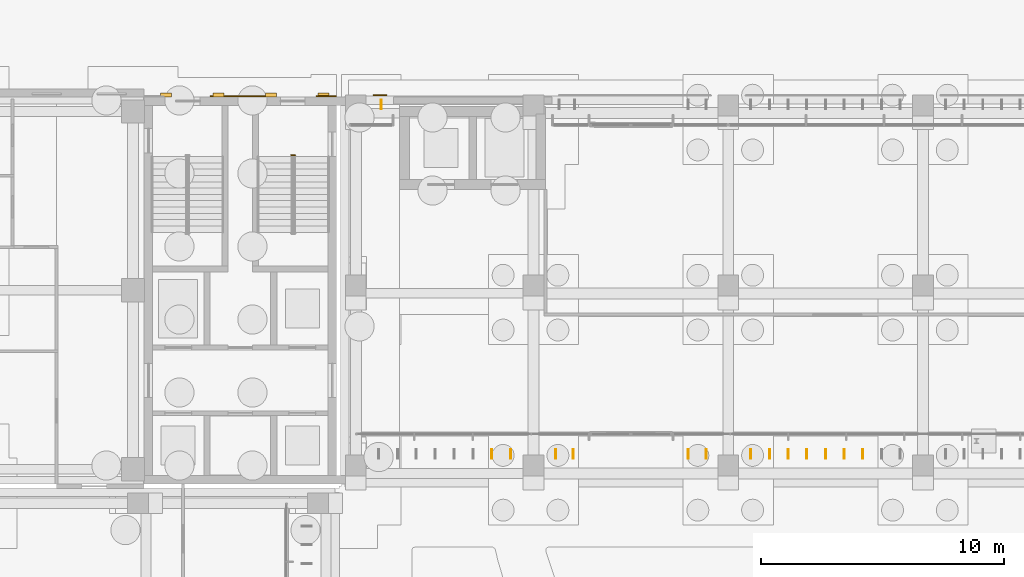
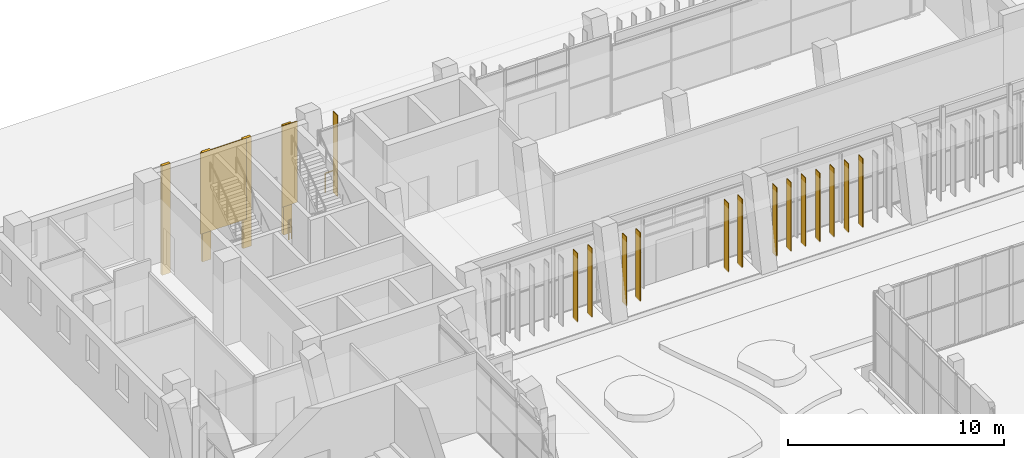
# One storey, part 132 of 144: 14 shading devices, 6 coverings, 2 railings.
"""IFC4 building model written with IfcOpenShell, lengths in metres."""

from ifc_helpers import new_model, si_unit, direction, frame, frame_2d, origin, origin_2d, place, context, subcontext, project, spatial, rectangle, circle, extrude, material, layer, layer_set, type_object, element, save


model = new_model("IFC4")

# Units and contexts
model_context = context("Model", 3, precision=1e-05, world=origin(), true_north=direction((0.0, 1.0)))
body_context = subcontext(model_context, "Body", "Model", "MODEL_VIEW")
ifc_project = project(units=[si_unit("LENGTHUNIT", "METRE"), si_unit("AREAUNIT", "SQUARE_METRE"), si_unit("VOLUMEUNIT", "CUBIC_METRE"), si_unit("PLANEANGLEUNIT", "RADIAN"), si_unit("MASSUNIT", "GRAM", prefix="KILO")], contexts=[model_context])

# Site, building, storey
site_placement = place(None, origin())
site = spatial("IfcSite", under=ifc_project, at=site_placement, CompositionType="ELEMENT")
building_placement = place(site_placement, origin())
building = spatial("IfcBuilding", under=site, at=building_placement, Name="Lantern Court Media Centre", CompositionType="ELEMENT")
storey_placement = place(building_placement, origin())
storey = spatial("IfcBuildingStorey", under=building, at=storey_placement, Name="L00", CompositionType="ELEMENT", Elevation=0.0)

# Railing
ifc_material_1 = material(Name="Powder-coated steel", Category="steel")
railing_type_1 = type_object("IfcRailingType", Name="Floor edge guard 1100", PredefinedType="GUARDRAIL", material=ifc_material_1)
railing_1_placement = place(storey_placement, frame((25.949951171875, 112.06005859375, 0.0)))
element("IfcRailing", 1, at=railing_1_placement, inside=storey, type_object=railing_type_1, Name="L00 opening guard 25", PredefinedType="GUARDRAIL", context=body_context, shape_type="SweptSolid", body=[
    extrude(circle(Radius=0.02392578125, at=origin_2d()), frame((0.0, 0.0, 1.076171875), z_axis=(-1.0, 0.0, 0.0), x_axis=(0.0, -1.0, 0.0)), (0.0, 0.0, 1.0), 0.52490234375),
    extrude(circle(Radius=0.02099609375, at=origin_2d()), origin(), (0.0, 0.0, 1.0), 1.052001953125),
    extrude(circle(Radius=0.02099609375, at=origin_2d()), frame((-0.52490234375, 0.0, 0.0)), (0.0, 0.0, 1.0), 1.052001953125),
])

# Coverings
ifc_material_2 = material(Name="Honed limestone cladding", Category="masonry")
ifc_layer_1 = layer(ifc_material_2, 0.050048828125)
ifc_layer_set_1 = layer_set([ifc_layer_1], Name="Honed limestone cladding")
covering_type_1 = type_object("IfcCoveringType", Name="Limestone cladding panel 50", PredefinedType="CLADDING", material=ifc_layer_set_1)
covering_1_placement = place(storey_placement, frame((18.72509765625, 112.02490234375, 0.0), z_axis=(0.0, 0.0, 1.0), x_axis=(1.0, 0.0, 0.0)))
element("IfcCovering", 2, at=covering_1_placement, inside=storey, type_object=covering_type_1, Name="Limestone cladding NW stair core", PredefinedType="CLADDING", context=body_context, shape_type="SweptSolid", body=[
    extrude(rectangle(XDim=2.449951171875, YDim=0.050048828125, at=frame_2d((1.22509765625, 0.0))), origin(), (0.0, 0.0, 1.0), 4.580078125),
])
covering_2_placement = place(storey_placement, frame((23.074951171875, 112.02490234375, 0.0), z_axis=(0.0, 0.0, 1.0), x_axis=(1.0, 0.0, 0.0)))
element("IfcCovering", 3, at=covering_2_placement, inside=storey, type_object=covering_type_1, Name="Limestone cladding NW stair core", PredefinedType="CLADDING", context=body_context, shape_type="SweptSolid", body=[
    extrude(rectangle(XDim=0.824951171875, YDim=0.050048828125, at=frame_2d((0.41259765625, 0.0))), origin(), (0.0, 0.0, 1.0), 4.580078125),
])
ifc_layer_2 = layer(ifc_material_2, 0.14990234375)
ifc_layer_set_2 = layer_set([ifc_layer_2], Name="Honed limestone cladding")
covering_type_2 = type_object("IfcCoveringType", Name="Limestone pilaster cladding 150", PredefinedType="CLADDING", material=ifc_layer_set_2)
covering_3_placement = place(storey_placement, frame((16.675048828125, 112.074951171875, -1.60009765625), z_axis=(0.0, 0.0, 1.0), x_axis=(1.0, 0.0, 0.0)))
element("IfcCovering", 4, at=covering_3_placement, inside=storey, type_object=covering_type_2, Name="Limestone pilaster rib", PredefinedType="CLADDING", context=body_context, shape_type="SweptSolid", body=[
    extrude(rectangle(XDim=0.449951171875, YDim=0.14990234375, at=frame_2d((0.22509765625, 0.0))), origin(), (0.0, 0.0, 1.0), 6.18017578125),
])
covering_4_placement = place(storey_placement, frame((18.833251953125, 112.074951171875, -1.60009765625), z_axis=(0.0, 0.0, 1.0), x_axis=(1.0, 0.0, 0.0)))
element("IfcCovering", 5, at=covering_4_placement, inside=storey, type_object=covering_type_2, Name="Limestone pilaster rib", PredefinedType="CLADDING", context=body_context, shape_type="SweptSolid", body=[
    extrude(rectangle(XDim=0.4501953125, YDim=0.14990234375, at=frame_2d((0.22509765625, 0.0))), origin(), (0.0, 0.0, 1.0), 6.18017578125),
])
covering_5_placement = place(storey_placement, frame((20.99169921875, 112.074951171875, -1.60009765625), z_axis=(0.0, 0.0, 1.0), x_axis=(1.0, 0.0, 0.0)))
element("IfcCovering", 6, at=covering_5_placement, inside=storey, type_object=covering_type_2, Name="Limestone pilaster rib", PredefinedType="CLADDING", context=body_context, shape_type="SweptSolid", body=[
    extrude(rectangle(XDim=0.449951171875, YDim=0.14990234375, at=frame_2d((0.22509765625, 0.0))), origin(), (0.0, 0.0, 1.0), 6.18017578125),
])
covering_6_placement = place(storey_placement, frame((23.14990234375, 112.074951171875, -1.60009765625), z_axis=(0.0, 0.0, 1.0), x_axis=(1.0, 0.0, 0.0)))
element("IfcCovering", 7, at=covering_6_placement, inside=storey, type_object=covering_type_2, Name="Limestone pilaster rib", PredefinedType="CLADDING", context=body_context, shape_type="SweptSolid", body=[
    extrude(rectangle(XDim=0.4501953125, YDim=0.14990234375, at=frame_2d((0.22509765625, 0.0))), origin(), (0.0, 0.0, 1.0), 6.18017578125),
])

# Railing
railing_type_2 = type_object("IfcRailingType", Name="Stair guard 1100", PredefinedType="GUARDRAIL", material=ifc_material_1)
railing_2_placement = place(storey_placement, frame((22.050048828125, 109.60009765625, 0.0)))
element("IfcRailing", 8, at=railing_2_placement, inside=storey, type_object=railing_type_2, Name="L00 ST-NWB stair guard 4", PredefinedType="GUARDRAIL", context=body_context, shape_type="SweptSolid", body=[
    extrude(circle(Radius=0.02392578125, at=origin_2d()), frame((0.0, 0.0, 1.076171875), z_axis=(1.0, 0.0, 0.0), x_axis=(0.0, 1.0, 0.0)), (0.0, 0.0, 1.0), 0.14990234375),
    extrude(circle(Radius=0.02099609375, at=origin_2d()), origin(), (0.0, 0.0, 1.0), 1.052001953125),
    extrude(circle(Radius=0.02099609375, at=origin_2d()), frame((0.14990234375, 0.0, 0.0)), (0.0, 0.0, 1.0), 1.052001953125),
])

# Shading devices
ifc_material_3 = material(Name="Bronze anodised aluminium louvre", Category="aluminium")
ifc_layer_3 = layer(ifc_material_3, 0.0400390625)
ifc_layer_set_3 = layer_set([ifc_layer_3], Name="Bronze anodised aluminium louvre")
shading_device_type_1 = type_object("IfcShadingDeviceType", Name="Vertical louvre 40x400 full storey", PredefinedType="USERDEFINED", material=ifc_layer_set_3)
shading_device_placement = place(storey_placement, frame((25.75, 111.679931640625, 0.0), z_axis=(0.0, 0.0, 1.0), x_axis=(1.0, 0.0, 0.0)))
element("IfcShadingDevice", 9, at=shading_device_placement, inside=storey, type_object=shading_device_type_1, Name="Vertical louvre N outer L00", ObjectType="VERTICAL LOUVRE", PredefinedType="USERDEFINED", context=body_context, shape_type="SweptSolid", body=[
    extrude(rectangle(XDim=0.0400390625, YDim=0.39990234375, at=origin_2d()), origin(), (0.0, 0.0, 1.0), 4.580078125),
])
ifc_layer_4 = layer(ifc_material_3, 0.0400390625)
ifc_layer_set_4 = layer_set([ifc_layer_4], Name="Bronze anodised aluminium louvre")
shading_device_type_2 = type_object("IfcShadingDeviceType", Name="Vertical louvre 40x400 under beam", PredefinedType="USERDEFINED", material=ifc_layer_set_4)
for number, where, z_axis, x_axis, name in (
    (10, (30.28759765625, 97.320068359375, 0.0), (0.0, 0.0, 1.0), (1.0, 0.0, 0.0), "Vertical louvre N inner L00"),
    (11, (31.0625, 97.320068359375, 0.0), (0.0, 0.0, 1.0), (1.0, 0.0, 0.0), "Vertical louvre N inner L00"),
    (12, (32.91259765625, 97.320068359375, 0.0), (0.0, 0.0, 1.0), (1.0, 0.0, 0.0), "Vertical louvre N inner L00"),
    (13, (33.637451171875, 97.320068359375, 0.0), (0.0, 0.0, 1.0), (1.0, 0.0, 0.0), "Vertical louvre N inner L00"),
    (14, (38.362548828125, 97.320068359375, 0.0), (0.0, 0.0, 1.0), (1.0, 0.0, 0.0), "Vertical louvre N inner L00"),
    (15, (39.08740234375, 97.320068359375, 0.0), (0.0, 0.0, 1.0), (1.0, 0.0, 0.0), "Vertical louvre N inner L00"),
    (16, (40.933349609375, 97.320068359375, 0.0), (0.0, 0.0, 1.0), (1.0, 0.0, 0.0), "Vertical louvre N inner L00"),
    (17, (41.699951171875, 97.320068359375, 0.0), (0.0, 0.0, 1.0), (1.0, 0.0, 0.0), "Vertical louvre N inner L00"),
    (18, (42.466552734375, 97.320068359375, 0.0), (0.0, 0.0, 1.0), (1.0, 0.0, 0.0), "Vertical louvre N inner L00"),
    (19, (43.2333984375, 97.320068359375, 0.0), (0.0, 0.0, 1.0), (1.0, 0.0, 0.0), "Vertical louvre N inner L00"),
    (20, (44.0, 97.320068359375, 0.0), (0.0, 0.0, 1.0), (1.0, 0.0, 0.0), "Vertical louvre N inner L00"),
    (21, (44.7666015625, 97.320068359375, 0.0), (0.0, 0.0, 1.0), (1.0, 0.0, 0.0), "Vertical louvre N inner L00"),
    (22, (45.533447265625, 97.320068359375, 0.0), (0.0, 0.0, 1.0), (1.0, 0.0, 0.0), "Vertical louvre N inner L00"),
):
    element("IfcShadingDevice", number, at=place(storey_placement, frame(where, z_axis=z_axis, x_axis=x_axis)), inside=storey, type_object=shading_device_type_2, Name=name, ObjectType="VERTICAL LOUVRE", PredefinedType="USERDEFINED", context=body_context, shape_type="SweptSolid", body=[
        extrude(rectangle(XDim=0.0400390625, YDim=0.39990234375, at=origin_2d()), origin(), (0.0, 0.0, 1.0), 3.89990234375),
    ])

save(model, "model.ifc")
